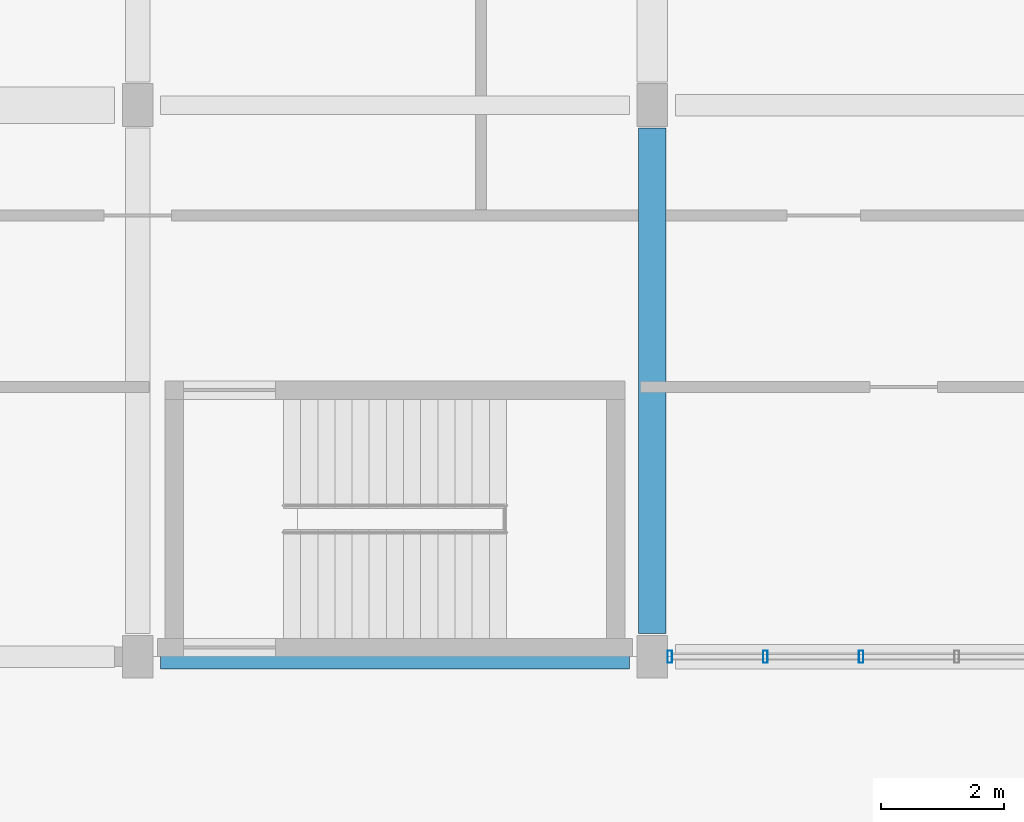
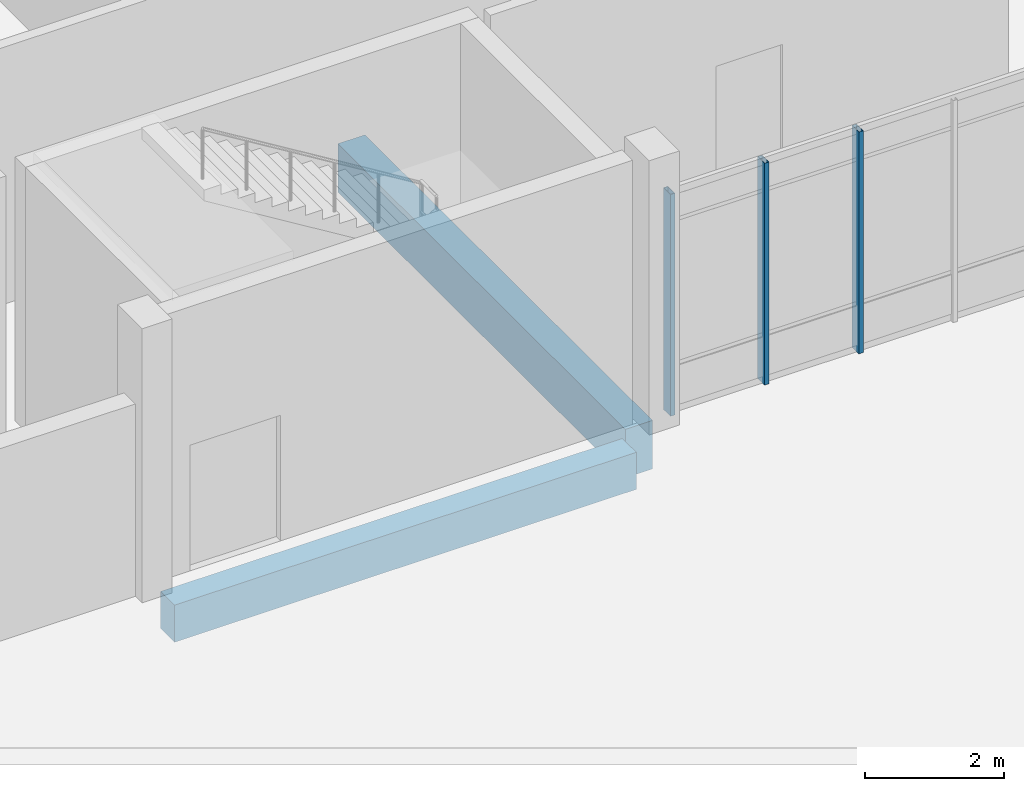
# One storey, part 59 of 95: 3 members, 2 beams, 1 element without a shape of its own.
"""IFC4 building model written with IfcOpenShell, lengths in metres."""

from ifc_helpers import new_model, si_unit, direction, frame, origin, origin_2d, place, context, subcontext, project, spatial, rectangle, hollow_rectangle, extrude, material, layer, layer_set, material_profile, profile_set, type_object, element, aggregate, save


model = new_model("IFC4")

# Units and contexts
model_context = context("Model", 3, precision=1e-05, world=origin(), true_north=direction((0.0, 1.0)))
body_context = subcontext(model_context, "Body", "Model", "MODEL_VIEW")
ifc_project = project(units=[si_unit("LENGTHUNIT", "METRE"), si_unit("AREAUNIT", "SQUARE_METRE"), si_unit("VOLUMEUNIT", "CUBIC_METRE"), si_unit("PLANEANGLEUNIT", "RADIAN"), si_unit("MASSUNIT", "GRAM", prefix="KILO")], contexts=[model_context])

# Site, building, storey
site_placement = place(None, origin())
site = spatial("IfcSite", under=ifc_project, at=site_placement, CompositionType="ELEMENT")
building_placement = place(site_placement, origin())
building = spatial("IfcBuilding", under=site, at=building_placement, Name="Vireocrest Preparatory School", CompositionType="ELEMENT")
storey_placement = place(building_placement, origin())
storey = spatial("IfcBuildingStorey", under=building, at=storey_placement, Name="L00", CompositionType="ELEMENT", Elevation=0.0)

# Curtain wall, members
ifc_material_1 = material(Name="Thermally broken aluminium EN AW-6063-T6", Category="aluminium")
ifc_layer = layer(ifc_material_1, 0.179931640625)
ifc_layer_set = layer_set([ifc_layer], Name="Thermally broken aluminium EN AW-6063-T6")
curtain_wall_type = type_object("IfcCurtainWallType", Name="Botanical Lab Glazing 8400x3400", PredefinedType="USERDEFINED", material=ifc_layer_set)
curtain_wall_placement = place(storey_placement, origin())
curtain_wall = element("IfcCurtainWall", 1, at=curtain_wall_placement, inside=storey, type_object=curtain_wall_type, Name="Curtain Wall CW15 CW_L00_CW15_1346_0180_000", ObjectType="CURTAIN WALL", PredefinedType="USERDEFINED")
ifc_material_profile_1 = material_profile(ifc_material_1, hollow_rectangle(XDim=0.074951171875, YDim=0.199951171875, WallThickness=0.0048828125, at=origin_2d()), Name="ALU 75x200x5")
ifc_profile_set_1 = profile_set([ifc_material_profile_1], Name="Thermally broken aluminium EN AW-6063-T6")
member_type = type_object("IfcMemberType", Name="CW Mullion 75x200x5", PredefinedType="MULLION", material=ifc_profile_set_1)
member_1_placement = place(storey_placement, frame((134.68505859375, 18.0, 0.0), z_axis=(0.0, 0.0, 1.0), x_axis=(1.0, 0.0, 0.0)))
member_1 = element("IfcMember", 2, at=member_1_placement, type_object=member_type, Name="CW Mullion ML3 CW_L00_CW15_1346_0180_000-1", PredefinedType="MULLION", context=body_context, shape_type="SweptSolid", body=[
    extrude(hollow_rectangle(XDim=0.074951171875, YDim=0.199951171875, WallThickness=0.0048828125, at=origin_2d()), origin(), (0.0, 0.0, 1.0), 3.885009765625),
])
member_2_placement = place(storey_placement, frame((136.24609375, 18.0, 0.0), z_axis=(0.0, 0.0, 1.0), x_axis=(1.0, 0.0, 0.0)))
member_2 = element("IfcMember", 3, at=member_2_placement, type_object=member_type, Name="CW Mullion ML3 CW_L00_CW15_1346_0180_000-2", PredefinedType="MULLION", context=body_context, shape_type="SweptSolid", body=[
    extrude(hollow_rectangle(XDim=0.074951171875, YDim=0.199951171875, WallThickness=0.0048828125, at=origin_2d()), origin(), (0.0, 0.0, 1.0), 3.885009765625),
])
member_3_placement = place(storey_placement, frame((137.806884765625, 18.0, 0.0), z_axis=(0.0, 0.0, 1.0), x_axis=(1.0, 0.0, 0.0)))
member_3 = element("IfcMember", 4, at=member_3_placement, type_object=member_type, Name="CW Mullion ML3 CW_L00_CW15_1346_0180_000-3", PredefinedType="MULLION", context=body_context, shape_type="SweptSolid", body=[
    extrude(hollow_rectangle(XDim=0.074951171875, YDim=0.199951171875, WallThickness=0.0048828125, at=origin_2d()), origin(), (0.0, 0.0, 1.0), 3.885009765625),
])
aggregate(curtain_wall, [member_1, member_2, member_3])

# Beams
ifc_material_2 = material(Name="Concrete 40 MPa", Category="concrete")
ifc_material_profile_2 = material_profile(ifc_material_2, rectangle(XDim=0.449951171875, YDim=0.85009765625, at=origin_2d()), Name="RC 450x850")
ifc_profile_set_2 = profile_set([ifc_material_profile_2], Name="Concrete 40 MPa")
beam_type_1 = type_object("IfcBeamType", Name="RC Heavy Floor Girder 450x850", PredefinedType="BEAM", material=ifc_profile_set_2)
beam_1_placement = place(storey_placement, frame((134.39990234375, 18.375, -0.77490234375), z_axis=(0.0, 1.0, 0.0), x_axis=(-1.0, 0.0, 0.0)))
element("IfcBeam", 5, at=beam_1_placement, inside=storey, type_object=beam_type_1, Name="Primary Girder B13 L00-0240", PredefinedType="BEAM", context=body_context, shape_type="SweptSolid", body=[
    extrude(rectangle(XDim=0.449951171875, YDim=0.85009765625, at=origin_2d()), origin(), (0.0, 0.0, 1.0), 8.25),
])
ifc_material_profile_3 = material_profile(ifc_material_2, rectangle(XDim=0.39990234375, YDim=0.64990234375, at=origin_2d()), Name="RC 400x650")
ifc_profile_set_3 = profile_set([ifc_material_profile_3], Name="Concrete 40 MPa")
beam_type_2 = type_object("IfcBeamType", Name="RC Laboratory Girder 400x650", PredefinedType="BEAM", material=ifc_profile_set_3)
beam_2_placement = place(storey_placement, frame((126.375, 18.0, -0.675048828125), z_axis=(1.0, 0.0, 0.0), x_axis=(0.0, 1.0, 0.0)))
element("IfcBeam", 6, at=beam_2_placement, inside=storey, type_object=beam_type_2, Name="Primary Girder B07 L00-0023", PredefinedType="BEAM", context=body_context, shape_type="SweptSolid", body=[
    extrude(rectangle(XDim=0.39990234375, YDim=0.64990234375, at=origin_2d()), origin(), (0.0, 0.0, 1.0), 7.64990234375),
])

save(model, "model.ifc")
